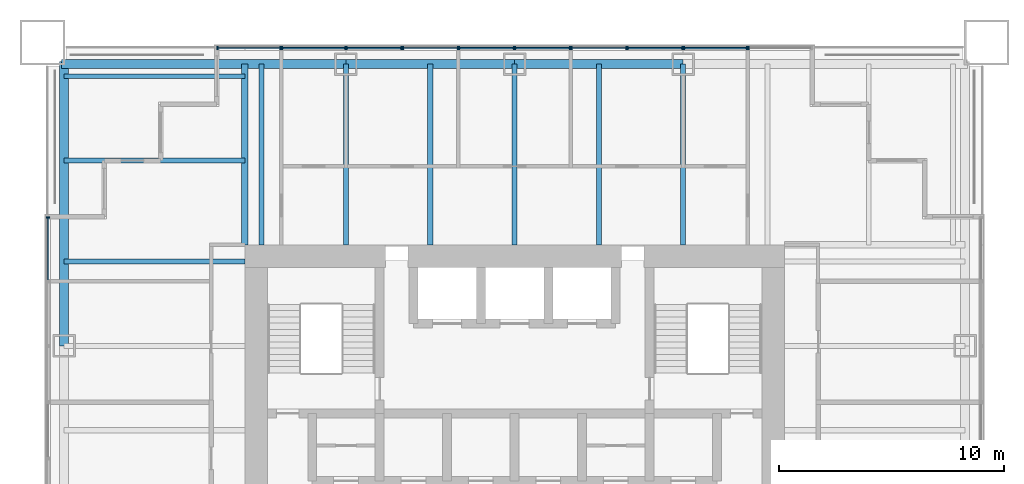
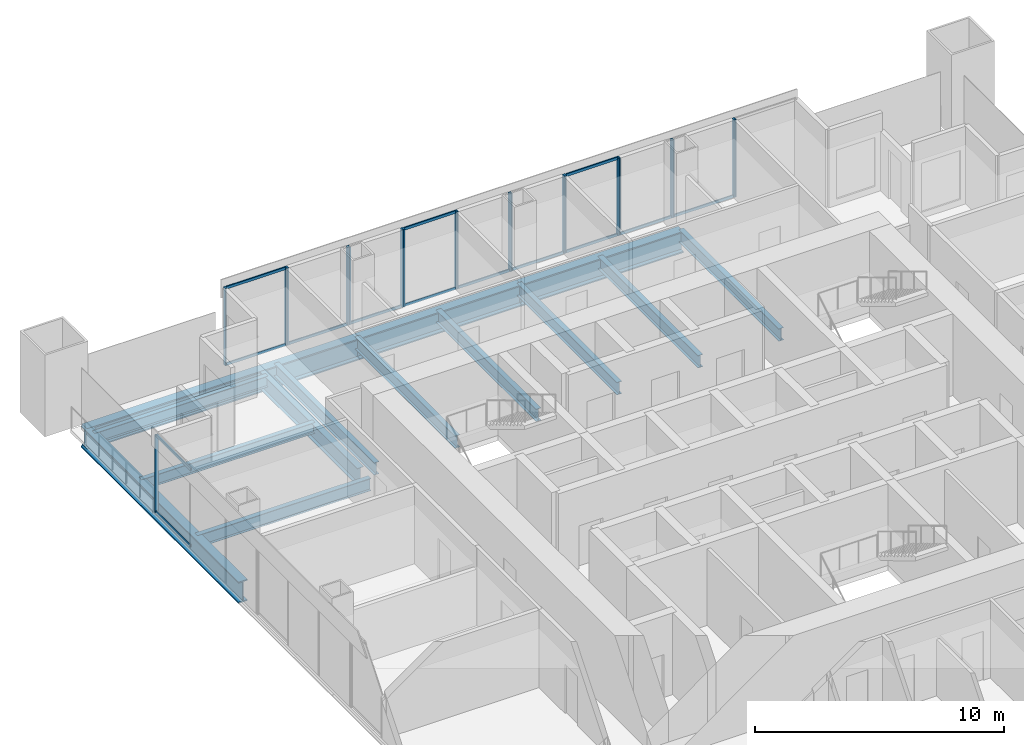
# One storey, part 6 of 15: 34 members, 14 beams, 11 elements without a shape of their own.
"""IFC4 building model written with IfcOpenShell, lengths in metres."""

from ifc_helpers import new_model, si_unit, direction, frame, origin, origin_2d, place, context, subcontext, project, spatial, rectangle, i_section, extrude, material, material_profile, profile_set, type_object, element, aggregate, save


model = new_model("IFC4")

# Units and contexts
model_context = context("Model", 3, precision=1e-05, world=origin(), true_north=direction((0.0, 1.0)))
body_context = subcontext(model_context, "Body", "Model", "MODEL_VIEW")
ifc_project = project(units=[si_unit("LENGTHUNIT", "METRE"), si_unit("AREAUNIT", "SQUARE_METRE"), si_unit("VOLUMEUNIT", "CUBIC_METRE"), si_unit("PLANEANGLEUNIT", "RADIAN"), si_unit("MASSUNIT", "GRAM", prefix="KILO")], contexts=[model_context])

# Site, building, storey
site_placement = place(None, origin())
site = spatial("IfcSite", under=ifc_project, at=site_placement, CompositionType="ELEMENT")
building_placement = place(site_placement, origin())
building = spatial("IfcBuilding", under=site, at=building_placement, Name="Tarangal Relay Tower", CompositionType="ELEMENT")
storey_placement = place(building_placement, frame((0.0, 0.0, 331.89990234375)))
storey = spatial("IfcBuildingStorey", under=building, at=storey_placement, Name="L74", CompositionType="ELEMENT", Elevation=331.89990234375)

# Beams
ifc_material_1 = material(Name="Steel ASTM A992", Category="steel")
ifc_material_profile_1 = material_profile(ifc_material_1, i_section(OverallWidth=0.209228515625, OverallDepth=0.533447265625, WebThickness=0.01025390625, FlangeThickness=0.015625, at=origin_2d()), Name="W21X62")
ifc_profile_set_1 = profile_set([ifc_material_profile_1], Name="Steel ASTM A992")
beam_type_1 = type_object("IfcBeamType", Name="Corner beam W21X62", PredefinedType="JOIST", material=ifc_profile_set_1)
for number, where, z_axis, x_axis, name in (
    (1, (-12.0, 15.75, -0.41650390625), (-1.0, 0.0, 0.0), (0.0, -1.0, 0.0), "Corner beam CB12 W L74"),
    (2, (-12.0, 19.5, -0.41650390625), (-1.0, 0.0, 0.0), (0.0, -1.0, 0.0), "Corner beam CB12 W L74"),
):
    element("IfcBeam", number, at=place(storey_placement, frame(where, z_axis=z_axis, x_axis=x_axis)), inside=storey, type_object=beam_type_1, Name=name, PredefinedType="JOIST", context=body_context, shape_type="SweptSolid", body=[
        extrude(i_section(OverallWidth=0.209228515625, OverallDepth=0.533447265625, WebThickness=0.01025390625, FlangeThickness=0.015625, at=origin_2d()), origin(), (0.0, 0.0, 1.0), 8.0400390625),
    ])
ifc_material_profile_2 = material_profile(ifc_material_1, i_section(OverallWidth=0.2919921875, OverallDepth=0.8408203125, WebThickness=0.0146484375, FlangeThickness=0.021728515625, at=origin_2d()), Name="W33X130")
ifc_profile_set_2 = profile_set([ifc_material_profile_2], Name="Steel ASTM A992")
beam_type_2 = type_object("IfcBeamType", Name="Corner girder W33X130", PredefinedType="BEAM", material=ifc_profile_set_2)
beam_1_placement = place(storey_placement, frame((-12.0, 12.0, -0.5703125), z_axis=(0.0, 1.0, 0.0), x_axis=(-1.0, 0.0, 0.0)))
element("IfcBeam", 3, at=beam_1_placement, inside=storey, type_object=beam_type_2, Name="Corner girder CG5 W L74", PredefinedType="BEAM", context=body_context, shape_type="SweptSolid", body=[
    extrude(i_section(OverallWidth=0.2919921875, OverallDepth=0.8408203125, WebThickness=0.0146484375, FlangeThickness=0.021728515625, at=origin_2d()), origin(), (0.0, 0.0, 1.0), 8.0400390625),
])
ifc_material_profile_3 = material_profile(ifc_material_1, i_section(OverallWidth=0.41162109375, OverallDepth=1.049072265625, WebThickness=0.033935546875, FlangeThickness=0.059814453125, at=origin_2d()), Name="W40X431")
ifc_profile_set_3 = profile_set([ifc_material_profile_3], Name="Steel ASTM A992")
beam_type_3 = type_object("IfcBeamType", Name="Edge girder W40X431", PredefinedType="SPANDREL", material=ifc_profile_set_3)
beam_2_placement = place(storey_placement, frame((-20.14990234375, 20.0400390625, -0.67431640625), z_axis=(1.0, 0.0, 0.0), x_axis=(0.0, 1.0, 0.0)))
element("IfcBeam", 4, at=beam_2_placement, inside=storey, type_object=beam_type_3, Name="Edge girder EG1 N L74", PredefinedType="SPANDREL", context=body_context, shape_type="SweptSolid", body=[
    extrude(i_section(OverallWidth=0.41162109375, OverallDepth=1.049072265625, WebThickness=0.033935546875, FlangeThickness=0.059814453125, at=origin_2d()), origin(), (0.0, 0.0, 1.0), 12.64990234375),
])
for number, where, z_axis, x_axis, name in (
    (5, (-7.5, 20.0400390625, -0.67431640625), (1.0, 0.0, 0.0), (0.0, 1.0, 0.0), "Edge girder EG1 N L74"),
    (6, (0.0, 20.0400390625, -0.67431640625), (1.0, 0.0, 0.0), (0.0, 1.0, 0.0), "Edge girder EG1 N L74"),
):
    element("IfcBeam", number, at=place(storey_placement, frame(where, z_axis=z_axis, x_axis=x_axis)), inside=storey, type_object=beam_type_3, Name=name, PredefinedType="SPANDREL", context=body_context, shape_type="SweptSolid", body=[
        extrude(i_section(OverallWidth=0.41162109375, OverallDepth=1.049072265625, WebThickness=0.033935546875, FlangeThickness=0.059814453125, at=origin_2d()), origin(), (0.0, 0.0, 1.0), 7.5),
    ])
beam_3_placement = place(storey_placement, frame((-20.0400390625, 7.5, -0.67431640625), z_axis=(0.0, 1.0, 0.0), x_axis=(-1.0, 0.0, 0.0)))
element("IfcBeam", 7, at=beam_3_placement, inside=storey, type_object=beam_type_3, Name="Edge girder EG1 W L74", PredefinedType="SPANDREL", context=body_context, shape_type="SweptSolid", body=[
    extrude(i_section(OverallWidth=0.41162109375, OverallDepth=1.049072265625, WebThickness=0.033935546875, FlangeThickness=0.059814453125, at=origin_2d()), origin(), (0.0, 0.0, 1.0), 12.64990234375),
])
ifc_material_profile_4 = material_profile(ifc_material_1, i_section(OverallWidth=0.228271484375, OverallDepth=0.607177734375, WebThickness=0.01123046875, FlangeThickness=0.017333984375, at=origin_2d()), Name="W24X76")
ifc_profile_set_4 = profile_set([ifc_material_profile_4], Name="Steel ASTM A992")
beam_type_4 = type_object("IfcBeamType", Name="Floor beam W24X76", PredefinedType="BEAM", material=ifc_profile_set_4)
for number, where, z_axis, x_axis, name in (
    (8, (-11.25, 12.0, -0.453369140625), (0.0, 1.0, 0.0), (-1.0, 0.0, 0.0), "Floor beam RB5 N L74"),
    (9, (-7.5, 12.0, -0.453369140625), (0.0, 1.0, 0.0), (-1.0, 0.0, 0.0), "Floor beam RB5 N L74"),
    (10, (-3.75, 12.0, -0.453369140625), (0.0, 1.0, 0.0), (-1.0, 0.0, 0.0), "Floor beam RB5 N L74"),
    (11, (0.0, 12.0, -0.453369140625), (0.0, 1.0, 0.0), (-1.0, 0.0, 0.0), "Floor beam RB5 N L74"),
    (12, (3.75, 12.0, -0.453369140625), (0.0, 1.0, 0.0), (-1.0, 0.0, 0.0), "Floor beam RB5 N L74"),
    (13, (7.5, 12.0, -0.453369140625), (0.0, 1.0, 0.0), (-1.0, 0.0, 0.0), "Floor beam RB5 N L74"),
    (14, (-12.0, 11.25, -0.453369140625), (-1.0, 0.0, 0.0), (0.0, -1.0, 0.0), "Floor beam RB5 W L74"),
):
    element("IfcBeam", number, at=place(storey_placement, frame(where, z_axis=z_axis, x_axis=x_axis)), inside=storey, type_object=beam_type_4, Name=name, PredefinedType="BEAM", context=body_context, shape_type="SweptSolid", body=[
        extrude(i_section(OverallWidth=0.228271484375, OverallDepth=0.607177734375, WebThickness=0.01123046875, FlangeThickness=0.017333984375, at=origin_2d()), origin(), (0.0, 0.0, 1.0), 8.0400390625),
    ])

# Curtain wall, members
ifc_material_2 = material(Name="Unitised curtain wall, dark glass and black aluminium", Category="aluminium")
curtain_wall_type_1 = type_object("IfcCurtainWallType", Name="Curtain wall CW-B", PredefinedType="USERDEFINED", material=ifc_material_2)
curtain_wall_1_placement = place(storey_placement, origin())
curtain_wall_1 = element("IfcCurtainWall", 15, at=curtain_wall_1_placement, inside=storey, type_object=curtain_wall_type_1, Name="Curtain wall CW-B N facade L74", ObjectType="UNITISED CURTAIN WALL", PredefinedType="USERDEFINED")
ifc_material_3 = material(Name="Black anodised aluminium mullion", Category="aluminium")
ifc_material_profile_5 = material_profile(ifc_material_3, rectangle(XDim=0.159912109375, YDim=0.06005859375, at=origin_2d()), Name="CW-BM 60X160")
ifc_profile_set_5 = profile_set([ifc_material_profile_5], Name="Black anodised aluminium mullion")
member_type_1 = type_object("IfcMemberType", Name="Mullion CW-B 60 x 160", PredefinedType="MULLION", material=ifc_profile_set_5)
member_1_placement = place(storey_placement, frame((-13.219970703125, 20.75, 0.0), z_axis=(0.0, 0.0, 1.0), x_axis=(0.0, 1.0, 0.0)))
member_1 = element("IfcMember", 16, at=member_1_placement, type_object=member_type_1, Name="CW-B mullion 1", PredefinedType="MULLION", context=body_context, shape_type="SweptSolid", body=[
    extrude(rectangle(XDim=0.159912109375, YDim=0.06005859375, at=origin_2d()), origin(), (0.0, 0.0, 1.0), 3.800048828125),
])
member_2_placement = place(storey_placement, frame((-10.405029296875, 20.75, 0.0), z_axis=(0.0, 0.0, 1.0), x_axis=(0.0, 1.0, 0.0)))
member_2 = element("IfcMember", 17, at=member_2_placement, type_object=member_type_1, Name="CW-B mullion 2", PredefinedType="MULLION", context=body_context, shape_type="SweptSolid", body=[
    extrude(rectangle(XDim=0.159912109375, YDim=0.06005859375, at=origin_2d()), origin(), (0.0, 0.0, 1.0), 3.800048828125),
])

curtain_wall_2_placement = place(storey_placement, origin())
curtain_wall_2 = element("IfcCurtainWall", 18, at=curtain_wall_2_placement, inside=storey, type_object=curtain_wall_type_1, Name="Curtain wall CW-B N facade L74", ObjectType="UNITISED CURTAIN WALL", PredefinedType="USERDEFINED")
member_3_placement = place(storey_placement, frame((-4.969970703125, 20.75, 0.0), z_axis=(0.0, 0.0, 1.0), x_axis=(0.0, 1.0, 0.0)))
member_3 = element("IfcMember", 19, at=member_3_placement, type_object=member_type_1, Name="CW-B mullion 1", PredefinedType="MULLION", context=body_context, shape_type="SweptSolid", body=[
    extrude(rectangle(XDim=0.159912109375, YDim=0.06005859375, at=origin_2d()), origin(), (0.0, 0.0, 1.0), 3.800048828125),
])
member_4_placement = place(storey_placement, frame((-2.530029296875, 20.75, 0.0), z_axis=(0.0, 0.0, 1.0), x_axis=(0.0, 1.0, 0.0)))
member_4 = element("IfcMember", 20, at=member_4_placement, type_object=member_type_1, Name="CW-B mullion 2", PredefinedType="MULLION", context=body_context, shape_type="SweptSolid", body=[
    extrude(rectangle(XDim=0.159912109375, YDim=0.06005859375, at=origin_2d()), origin(), (0.0, 0.0, 1.0), 3.800048828125),
])

curtain_wall_3_placement = place(storey_placement, origin())
curtain_wall_3 = element("IfcCurtainWall", 21, at=curtain_wall_3_placement, inside=storey, type_object=curtain_wall_type_1, Name="Curtain wall CW-B N facade L74", ObjectType="UNITISED CURTAIN WALL", PredefinedType="USERDEFINED")
member_5_placement = place(storey_placement, frame((2.530029296875, 20.75, 0.0), z_axis=(0.0, 0.0, 1.0), x_axis=(0.0, 1.0, 0.0)))
member_5 = element("IfcMember", 22, at=member_5_placement, type_object=member_type_1, Name="CW-B mullion 1", PredefinedType="MULLION", context=body_context, shape_type="SweptSolid", body=[
    extrude(rectangle(XDim=0.159912109375, YDim=0.06005859375, at=origin_2d()), origin(), (0.0, 0.0, 1.0), 3.800048828125),
])
member_6_placement = place(storey_placement, frame((4.969970703125, 20.75, 0.0), z_axis=(0.0, 0.0, 1.0), x_axis=(0.0, 1.0, 0.0)))
member_6 = element("IfcMember", 23, at=member_6_placement, type_object=member_type_1, Name="CW-B mullion 2", PredefinedType="MULLION", context=body_context, shape_type="SweptSolid", body=[
    extrude(rectangle(XDim=0.159912109375, YDim=0.06005859375, at=origin_2d()), origin(), (0.0, 0.0, 1.0), 3.800048828125),
])

# Curtain wall, member
curtain_wall_4_placement = place(storey_placement, origin())
curtain_wall_4 = element("IfcCurtainWall", 24, at=curtain_wall_4_placement, inside=storey, type_object=curtain_wall_type_1, Name="Curtain wall CW-B N facade L74", ObjectType="UNITISED CURTAIN WALL", PredefinedType="USERDEFINED")
member_7_placement = place(storey_placement, frame((10.405029296875, 20.75, 0.0), z_axis=(0.0, 0.0, 1.0), x_axis=(0.0, 1.0, 0.0)))
member_7 = element("IfcMember", 25, at=member_7_placement, type_object=member_type_1, Name="CW-B mullion 1", PredefinedType="MULLION", context=body_context, shape_type="SweptSolid", body=[
    extrude(rectangle(XDim=0.159912109375, YDim=0.06005859375, at=origin_2d()), origin(), (0.0, 0.0, 1.0), 3.800048828125),
])
aggregate(curtain_wall_4, [member_7])

curtain_wall_5_placement = place(storey_placement, origin())
curtain_wall_5 = element("IfcCurtainWall", 26, at=curtain_wall_5_placement, inside=storey, type_object=curtain_wall_type_1, Name="Curtain wall CW-B W facade L74", ObjectType="UNITISED CURTAIN WALL", PredefinedType="USERDEFINED")
member_8_placement = place(storey_placement, frame((-20.75, 13.219970703125, 0.0), z_axis=(0.0, 0.0, 1.0), x_axis=(-1.0, 0.0, 0.0)))
member_8 = element("IfcMember", 27, at=member_8_placement, type_object=member_type_1, Name="CW-B mullion 2", PredefinedType="MULLION", context=body_context, shape_type="SweptSolid", body=[
    extrude(rectangle(XDim=0.159912109375, YDim=0.06005859375, at=origin_2d()), origin(), (0.0, 0.0, 1.0), 3.800048828125),
])

# Curtain wall, members
ifc_material_4 = material(Name="Unitised curtain wall frame, black aluminium, with metal clad infill walls", Category="aluminium")
curtain_wall_type_2 = type_object("IfcCurtainWallType", Name="Curtain wall CW-BO", PredefinedType="USERDEFINED", material=ifc_material_4)
curtain_wall_6_placement = place(storey_placement, origin())
curtain_wall_6 = element("IfcCurtainWall", 28, at=curtain_wall_6_placement, inside=storey, type_object=curtain_wall_type_2, Name="Curtain wall CW-BO N facade L74", ObjectType="UNITISED CURTAIN WALL", PredefinedType="USERDEFINED")
ifc_material_profile_6 = material_profile(ifc_material_3, rectangle(XDim=0.159912109375, YDim=0.06005859375, at=origin_2d()), Name="CW-BOM 60X160")
ifc_profile_set_6 = profile_set([ifc_material_profile_6], Name="Black anodised aluminium mullion")
member_type_2 = type_object("IfcMemberType", Name="Mullion CW-BO 60 x 160", PredefinedType="MULLION", material=ifc_profile_set_6)
member_9_placement = place(storey_placement, frame((-10.344970703125, 20.75, 0.0), z_axis=(0.0, 0.0, 1.0), x_axis=(0.0, 1.0, 0.0)))
member_9 = element("IfcMember", 29, at=member_9_placement, type_object=member_type_2, Name="CW-BO mullion 1", PredefinedType="MULLION", context=body_context, shape_type="SweptSolid", body=[
    extrude(rectangle(XDim=0.159912109375, YDim=0.06005859375, at=origin_2d()), origin(), (0.0, 0.0, 1.0), 3.800048828125),
])
member_10_placement = place(storey_placement, frame((-7.530029296875, 20.75, 0.0), z_axis=(0.0, 0.0, 1.0), x_axis=(0.0, 1.0, 0.0)))
member_10 = element("IfcMember", 30, at=member_10_placement, type_object=member_type_2, Name="CW-BO mullion 2", PredefinedType="MULLION", context=body_context, shape_type="SweptSolid", body=[
    extrude(rectangle(XDim=0.159912109375, YDim=0.06005859375, at=origin_2d()), origin(), (0.0, 0.0, 1.0), 3.800048828125),
])

curtain_wall_7_placement = place(storey_placement, origin())
curtain_wall_7 = element("IfcCurtainWall", 31, at=curtain_wall_7_placement, inside=storey, type_object=curtain_wall_type_2, Name="Curtain wall CW-BO N facade L74", ObjectType="UNITISED CURTAIN WALL", PredefinedType="USERDEFINED")
member_11_placement = place(storey_placement, frame((-7.469970703125, 20.75, 0.0), z_axis=(0.0, 0.0, 1.0), x_axis=(0.0, 1.0, 0.0)))
member_11 = element("IfcMember", 32, at=member_11_placement, type_object=member_type_2, Name="CW-BO mullion 1", PredefinedType="MULLION", context=body_context, shape_type="SweptSolid", body=[
    extrude(rectangle(XDim=0.159912109375, YDim=0.06005859375, at=origin_2d()), origin(), (0.0, 0.0, 1.0), 3.800048828125),
])
member_12_placement = place(storey_placement, frame((-5.030029296875, 20.75, 0.0), z_axis=(0.0, 0.0, 1.0), x_axis=(0.0, 1.0, 0.0)))
member_12 = element("IfcMember", 33, at=member_12_placement, type_object=member_type_2, Name="CW-BO mullion 2", PredefinedType="MULLION", context=body_context, shape_type="SweptSolid", body=[
    extrude(rectangle(XDim=0.159912109375, YDim=0.06005859375, at=origin_2d()), origin(), (0.0, 0.0, 1.0), 3.800048828125),
])

curtain_wall_8_placement = place(storey_placement, origin())
curtain_wall_8 = element("IfcCurtainWall", 34, at=curtain_wall_8_placement, inside=storey, type_object=curtain_wall_type_2, Name="Curtain wall CW-BO N facade L74", ObjectType="UNITISED CURTAIN WALL", PredefinedType="USERDEFINED")
member_13_placement = place(storey_placement, frame((-2.469970703125, 20.75, 0.0), z_axis=(0.0, 0.0, 1.0), x_axis=(0.0, 1.0, 0.0)))
member_13 = element("IfcMember", 35, at=member_13_placement, type_object=member_type_2, Name="CW-BO mullion 1", PredefinedType="MULLION", context=body_context, shape_type="SweptSolid", body=[
    extrude(rectangle(XDim=0.159912109375, YDim=0.06005859375, at=origin_2d()), origin(), (0.0, 0.0, 1.0), 3.800048828125),
])
member_14_placement = place(storey_placement, frame((-0.030029296875, 20.75, 0.0), z_axis=(0.0, 0.0, 1.0), x_axis=(0.0, 1.0, 0.0)))
member_14 = element("IfcMember", 36, at=member_14_placement, type_object=member_type_2, Name="CW-BO mullion 2", PredefinedType="MULLION", context=body_context, shape_type="SweptSolid", body=[
    extrude(rectangle(XDim=0.159912109375, YDim=0.06005859375, at=origin_2d()), origin(), (0.0, 0.0, 1.0), 3.800048828125),
])

curtain_wall_9_placement = place(storey_placement, origin())
curtain_wall_9 = element("IfcCurtainWall", 37, at=curtain_wall_9_placement, inside=storey, type_object=curtain_wall_type_2, Name="Curtain wall CW-BO N facade L74", ObjectType="UNITISED CURTAIN WALL", PredefinedType="USERDEFINED")
member_15_placement = place(storey_placement, frame((0.030029296875, 20.75, 0.0), z_axis=(0.0, 0.0, 1.0), x_axis=(0.0, 1.0, 0.0)))
member_15 = element("IfcMember", 38, at=member_15_placement, type_object=member_type_2, Name="CW-BO mullion 1", PredefinedType="MULLION", context=body_context, shape_type="SweptSolid", body=[
    extrude(rectangle(XDim=0.159912109375, YDim=0.06005859375, at=origin_2d()), origin(), (0.0, 0.0, 1.0), 3.800048828125),
])
member_16_placement = place(storey_placement, frame((2.469970703125, 20.75, 0.0), z_axis=(0.0, 0.0, 1.0), x_axis=(0.0, 1.0, 0.0)))
member_16 = element("IfcMember", 39, at=member_16_placement, type_object=member_type_2, Name="CW-BO mullion 2", PredefinedType="MULLION", context=body_context, shape_type="SweptSolid", body=[
    extrude(rectangle(XDim=0.159912109375, YDim=0.06005859375, at=origin_2d()), origin(), (0.0, 0.0, 1.0), 3.800048828125),
])

curtain_wall_10_placement = place(storey_placement, origin())
curtain_wall_10 = element("IfcCurtainWall", 40, at=curtain_wall_10_placement, inside=storey, type_object=curtain_wall_type_2, Name="Curtain wall CW-BO N facade L74", ObjectType="UNITISED CURTAIN WALL", PredefinedType="USERDEFINED")
member_17_placement = place(storey_placement, frame((5.030029296875, 20.75, 0.0), z_axis=(0.0, 0.0, 1.0), x_axis=(0.0, 1.0, 0.0)))
member_17 = element("IfcMember", 41, at=member_17_placement, type_object=member_type_2, Name="CW-BO mullion 1", PredefinedType="MULLION", context=body_context, shape_type="SweptSolid", body=[
    extrude(rectangle(XDim=0.159912109375, YDim=0.06005859375, at=origin_2d()), origin(), (0.0, 0.0, 1.0), 3.800048828125),
])
member_18_placement = place(storey_placement, frame((7.469970703125, 20.75, 0.0), z_axis=(0.0, 0.0, 1.0), x_axis=(0.0, 1.0, 0.0)))
member_18 = element("IfcMember", 42, at=member_18_placement, type_object=member_type_2, Name="CW-BO mullion 2", PredefinedType="MULLION", context=body_context, shape_type="SweptSolid", body=[
    extrude(rectangle(XDim=0.159912109375, YDim=0.06005859375, at=origin_2d()), origin(), (0.0, 0.0, 1.0), 3.800048828125),
])

curtain_wall_11_placement = place(storey_placement, origin())
curtain_wall_11 = element("IfcCurtainWall", 43, at=curtain_wall_11_placement, inside=storey, type_object=curtain_wall_type_2, Name="Curtain wall CW-BO N facade L74", ObjectType="UNITISED CURTAIN WALL", PredefinedType="USERDEFINED")
member_19_placement = place(storey_placement, frame((7.530029296875, 20.75, 0.0), z_axis=(0.0, 0.0, 1.0), x_axis=(0.0, 1.0, 0.0)))
member_19 = element("IfcMember", 44, at=member_19_placement, type_object=member_type_2, Name="CW-BO mullion 1", PredefinedType="MULLION", context=body_context, shape_type="SweptSolid", body=[
    extrude(rectangle(XDim=0.159912109375, YDim=0.06005859375, at=origin_2d()), origin(), (0.0, 0.0, 1.0), 3.800048828125),
])
member_20_placement = place(storey_placement, frame((10.344970703125, 20.75, 0.0), z_axis=(0.0, 0.0, 1.0), x_axis=(0.0, 1.0, 0.0)))
member_20 = element("IfcMember", 45, at=member_20_placement, type_object=member_type_2, Name="CW-BO mullion 2", PredefinedType="MULLION", context=body_context, shape_type="SweptSolid", body=[
    extrude(rectangle(XDim=0.159912109375, YDim=0.06005859375, at=origin_2d()), origin(), (0.0, 0.0, 1.0), 3.800048828125),
])

# Member
ifc_material_5 = material(Name="Black anodised aluminium transom", Category="aluminium")
ifc_material_profile_7 = material_profile(ifc_material_5, rectangle(XDim=0.06005859375, YDim=0.1298828125, at=origin_2d()), Name="CW-BT 60X130")
ifc_profile_set_7 = profile_set([ifc_material_profile_7], Name="Black anodised aluminium transom")
member_type_3 = type_object("IfcMemberType", Name="Transom CW-B 60 x 130", PredefinedType="USERDEFINED", material=ifc_profile_set_7)
member_21_placement = place(storey_placement, frame((-13.18994140625, 20.75, 0.030029296875), z_axis=(1.0, 0.0, 0.0), x_axis=(0.0, 1.0, 0.0)))
member_21 = element("IfcMember", 46, at=member_21_placement, type_object=member_type_3, Name="CW-B transom 1.1", ObjectType="TRANSOM", PredefinedType="USERDEFINED", context=body_context, shape_type="SweptSolid", body=[
    extrude(rectangle(XDim=0.06005859375, YDim=0.1298828125, at=origin_2d()), origin(), (0.0, 0.0, 1.0), 2.7548828125),
])

member_22_placement = place(storey_placement, frame((-13.18994140625, 20.75, 3.77001953125), z_axis=(1.0, 0.0, 0.0), x_axis=(0.0, 1.0, 0.0)))
member_22 = element("IfcMember", 47, at=member_22_placement, type_object=member_type_3, Name="CW-B transom 1.2", ObjectType="TRANSOM", PredefinedType="USERDEFINED", context=body_context, shape_type="SweptSolid", body=[
    extrude(rectangle(XDim=0.06005859375, YDim=0.1298828125, at=origin_2d()), origin(), (0.0, 0.0, 1.0), 2.7548828125),
])

aggregate(curtain_wall_1, [member_1, member_2, member_21, member_22])

member_23_placement = place(storey_placement, frame((-4.93994140625, 20.75, 0.030029296875), z_axis=(1.0, 0.0, 0.0), x_axis=(0.0, 1.0, 0.0)))
member_23 = element("IfcMember", 48, at=member_23_placement, type_object=member_type_3, Name="CW-B transom 1.1", ObjectType="TRANSOM", PredefinedType="USERDEFINED", context=body_context, shape_type="SweptSolid", body=[
    extrude(rectangle(XDim=0.06005859375, YDim=0.1298828125, at=origin_2d()), origin(), (0.0, 0.0, 1.0), 2.3798828125),
])

member_24_placement = place(storey_placement, frame((-4.93994140625, 20.75, 3.77001953125), z_axis=(1.0, 0.0, 0.0), x_axis=(0.0, 1.0, 0.0)))
member_24 = element("IfcMember", 49, at=member_24_placement, type_object=member_type_3, Name="CW-B transom 1.2", ObjectType="TRANSOM", PredefinedType="USERDEFINED", context=body_context, shape_type="SweptSolid", body=[
    extrude(rectangle(XDim=0.06005859375, YDim=0.1298828125, at=origin_2d()), origin(), (0.0, 0.0, 1.0), 2.3798828125),
])

aggregate(curtain_wall_2, [member_3, member_4, member_23, member_24])

member_25_placement = place(storey_placement, frame((2.56005859375, 20.75, 0.030029296875), z_axis=(1.0, 0.0, 0.0), x_axis=(0.0, 1.0, 0.0)))
member_25 = element("IfcMember", 50, at=member_25_placement, type_object=member_type_3, Name="CW-B transom 1.1", ObjectType="TRANSOM", PredefinedType="USERDEFINED", context=body_context, shape_type="SweptSolid", body=[
    extrude(rectangle(XDim=0.06005859375, YDim=0.1298828125, at=origin_2d()), origin(), (0.0, 0.0, 1.0), 2.3798828125),
])

member_26_placement = place(storey_placement, frame((2.56005859375, 20.75, 3.77001953125), z_axis=(1.0, 0.0, 0.0), x_axis=(0.0, 1.0, 0.0)))
member_26 = element("IfcMember", 51, at=member_26_placement, type_object=member_type_3, Name="CW-B transom 1.2", ObjectType="TRANSOM", PredefinedType="USERDEFINED", context=body_context, shape_type="SweptSolid", body=[
    extrude(rectangle(XDim=0.06005859375, YDim=0.1298828125, at=origin_2d()), origin(), (0.0, 0.0, 1.0), 2.3798828125),
])

aggregate(curtain_wall_3, [member_5, member_6, member_25, member_26])

member_27_placement = place(storey_placement, frame((-20.75, 10.43505859375, 0.030029296875), z_axis=(0.0, 1.0, 0.0), x_axis=(-1.0, 0.0, 0.0)))
member_27 = element("IfcMember", 52, at=member_27_placement, type_object=member_type_3, Name="CW-B transom 1.1", ObjectType="TRANSOM", PredefinedType="USERDEFINED", context=body_context, shape_type="SweptSolid", body=[
    extrude(rectangle(XDim=0.06005859375, YDim=0.1298828125, at=origin_2d()), origin(), (0.0, 0.0, 1.0), 2.7548828125),
])

member_28_placement = place(storey_placement, frame((-20.75, 10.43505859375, 3.77001953125), z_axis=(0.0, 1.0, 0.0), x_axis=(-1.0, 0.0, 0.0)))
member_28 = element("IfcMember", 53, at=member_28_placement, type_object=member_type_3, Name="CW-B transom 1.2", ObjectType="TRANSOM", PredefinedType="USERDEFINED", context=body_context, shape_type="SweptSolid", body=[
    extrude(rectangle(XDim=0.06005859375, YDim=0.1298828125, at=origin_2d()), origin(), (0.0, 0.0, 1.0), 2.7548828125),
])

aggregate(curtain_wall_5, [member_8, member_27, member_28])

ifc_material_profile_8 = material_profile(ifc_material_5, rectangle(XDim=0.06005859375, YDim=0.1298828125, at=origin_2d()), Name="CW-BOT 60X130")
ifc_profile_set_8 = profile_set([ifc_material_profile_8], Name="Black anodised aluminium transom")
member_type_4 = type_object("IfcMemberType", Name="Transom CW-BO 60 x 130", PredefinedType="USERDEFINED", material=ifc_profile_set_8)
member_29_placement = place(storey_placement, frame((-10.31494140625, 20.75, 0.030029296875), z_axis=(1.0, 0.0, 0.0), x_axis=(0.0, 1.0, 0.0)))
member_29 = element("IfcMember", 54, at=member_29_placement, type_object=member_type_4, Name="CW-BO transom 1.1", ObjectType="TRANSOM", PredefinedType="USERDEFINED", context=body_context, shape_type="SweptSolid", body=[
    extrude(rectangle(XDim=0.06005859375, YDim=0.1298828125, at=origin_2d()), origin(), (0.0, 0.0, 1.0), 2.7548828125),
])

aggregate(curtain_wall_6, [member_9, member_10, member_29])

member_30_placement = place(storey_placement, frame((-7.43994140625, 20.75, 0.030029296875), z_axis=(1.0, 0.0, 0.0), x_axis=(0.0, 1.0, 0.0)))
member_30 = element("IfcMember", 55, at=member_30_placement, type_object=member_type_4, Name="CW-BO transom 1.1", ObjectType="TRANSOM", PredefinedType="USERDEFINED", context=body_context, shape_type="SweptSolid", body=[
    extrude(rectangle(XDim=0.06005859375, YDim=0.1298828125, at=origin_2d()), origin(), (0.0, 0.0, 1.0), 2.3798828125),
])

aggregate(curtain_wall_7, [member_11, member_12, member_30])

member_31_placement = place(storey_placement, frame((-2.43994140625, 20.75, 0.030029296875), z_axis=(1.0, 0.0, 0.0), x_axis=(0.0, 1.0, 0.0)))
member_31 = element("IfcMember", 56, at=member_31_placement, type_object=member_type_4, Name="CW-BO transom 1.1", ObjectType="TRANSOM", PredefinedType="USERDEFINED", context=body_context, shape_type="SweptSolid", body=[
    extrude(rectangle(XDim=0.06005859375, YDim=0.1298828125, at=origin_2d()), origin(), (0.0, 0.0, 1.0), 2.3798828125),
])

aggregate(curtain_wall_8, [member_13, member_14, member_31])

member_32_placement = place(storey_placement, frame((0.06005859375, 20.75, 0.030029296875), z_axis=(1.0, 0.0, 0.0), x_axis=(0.0, 1.0, 0.0)))
member_32 = element("IfcMember", 57, at=member_32_placement, type_object=member_type_4, Name="CW-BO transom 1.1", ObjectType="TRANSOM", PredefinedType="USERDEFINED", context=body_context, shape_type="SweptSolid", body=[
    extrude(rectangle(XDim=0.06005859375, YDim=0.1298828125, at=origin_2d()), origin(), (0.0, 0.0, 1.0), 2.3798828125),
])

aggregate(curtain_wall_9, [member_15, member_16, member_32])

member_33_placement = place(storey_placement, frame((5.06005859375, 20.75, 0.030029296875), z_axis=(1.0, 0.0, 0.0), x_axis=(0.0, 1.0, 0.0)))
member_33 = element("IfcMember", 58, at=member_33_placement, type_object=member_type_4, Name="CW-BO transom 1.1", ObjectType="TRANSOM", PredefinedType="USERDEFINED", context=body_context, shape_type="SweptSolid", body=[
    extrude(rectangle(XDim=0.06005859375, YDim=0.1298828125, at=origin_2d()), origin(), (0.0, 0.0, 1.0), 2.3798828125),
])

aggregate(curtain_wall_10, [member_17, member_18, member_33])

member_34_placement = place(storey_placement, frame((7.56005859375, 20.75, 0.030029296875), z_axis=(1.0, 0.0, 0.0), x_axis=(0.0, 1.0, 0.0)))
member_34 = element("IfcMember", 59, at=member_34_placement, type_object=member_type_4, Name="CW-BO transom 1.1", ObjectType="TRANSOM", PredefinedType="USERDEFINED", context=body_context, shape_type="SweptSolid", body=[
    extrude(rectangle(XDim=0.06005859375, YDim=0.1298828125, at=origin_2d()), origin(), (0.0, 0.0, 1.0), 2.7548828125),
])

aggregate(curtain_wall_11, [member_19, member_20, member_34])

save(model, "model.ifc")
